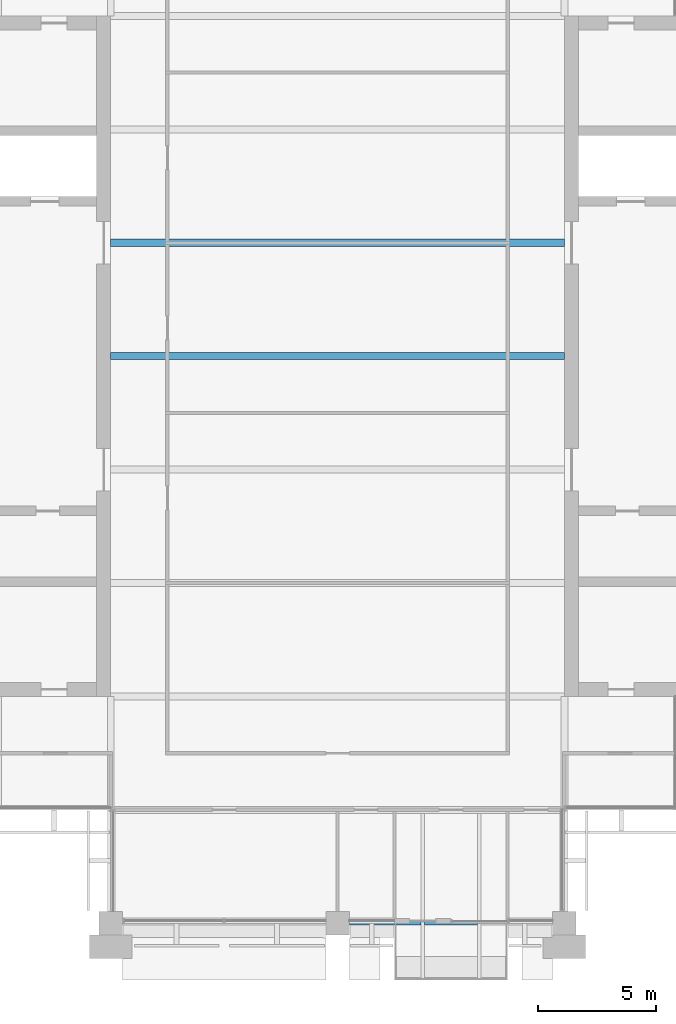
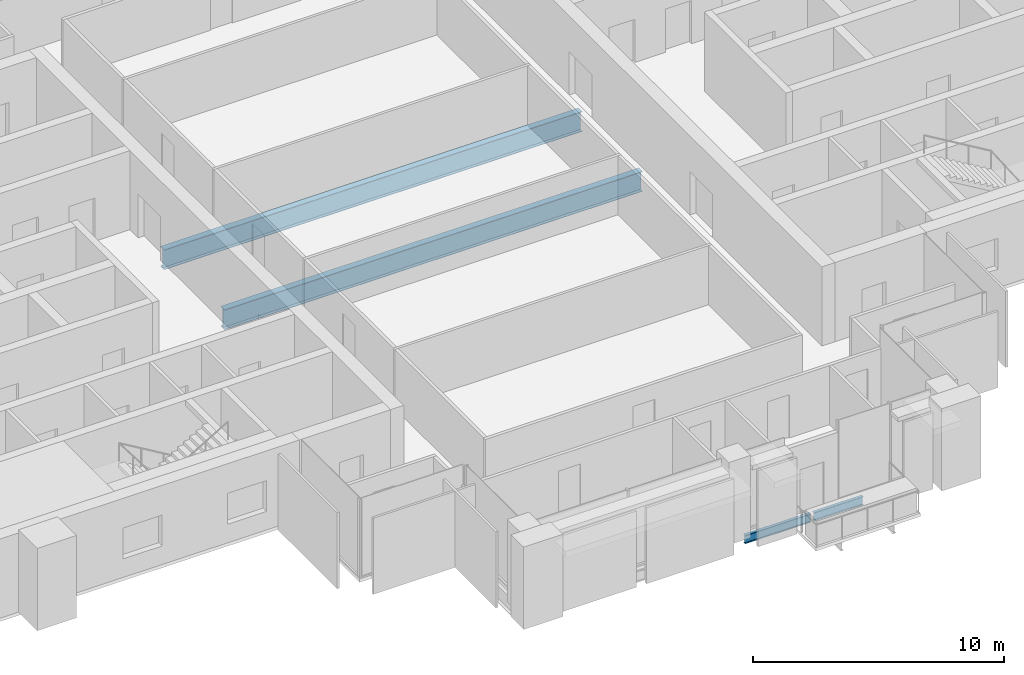
# One storey, part 3 of 13: 4 beams.
"""IFC4 building model written with IfcOpenShell, lengths in metres."""

from ifc_helpers import new_model, si_unit, direction, frame, origin, origin_2d, place, context, subcontext, project, spatial, i_section, extrude, material, material_profile, profile_set, type_object, element, save


model = new_model("IFC4")

# Units and contexts
model_context = context("Model", 3, precision=1e-05, world=origin(), true_north=direction((0.0, 1.0)))
body_context = subcontext(model_context, "Body", "Model", "MODEL_VIEW")
ifc_project = project(units=[si_unit("LENGTHUNIT", "METRE"), si_unit("AREAUNIT", "SQUARE_METRE"), si_unit("VOLUMEUNIT", "CUBIC_METRE"), si_unit("PLANEANGLEUNIT", "RADIAN"), si_unit("MASSUNIT", "GRAM", prefix="KILO")], contexts=[model_context])

# Site, building, storey
site_placement = place(None, origin())
site = spatial("IfcSite", under=ifc_project, at=site_placement, CompositionType="ELEMENT")
building_placement = place(site_placement, origin())
building = spatial("IfcBuilding", under=site, at=building_placement, Name="Baori Bourse Tower", CompositionType="ELEMENT")
storey_placement = place(building_placement, frame((0.0, 0.0, 326.300048828125)))
storey = spatial("IfcBuildingStorey", under=building, at=storey_placement, Name="L72", CompositionType="ELEMENT", Elevation=326.300048828125)

# Beams
ifc_material_1 = material(Name="Steel A992 Gr 50", Category="steel")
ifc_material_profile_1 = material_profile(ifc_material_1, i_section(OverallWidth=0.140380859375, OverallDepth=0.40380859375, WebThickness=0.007080078125, FlangeThickness=0.01123046875, at=origin_2d()), Name="W16x31")
ifc_profile_set_1 = profile_set([ifc_material_profile_1], Name="Steel A992 Gr 50")
beam_type_1 = type_object("IfcBeamType", Name="Edge beam W16x31", PredefinedType="BEAM", material=ifc_profile_set_1)
beam_1_placement = place(storey_placement, frame((29.300048828125, 0.0, -0.362060546875), z_axis=(1.0, 0.0, 0.0), x_axis=(0.0, 1.0, 0.0)))
element("IfcBeam", 1, at=beam_1_placement, inside=storey, type_object=beam_type_1, Name="Edge beam L72", PredefinedType="BEAM", context=body_context, shape_type="SweptSolid", body=[
    extrude(i_section(OverallWidth=0.140380859375, OverallDepth=0.40380859375, WebThickness=0.007080078125, FlangeThickness=0.01123046875, at=origin_2d()), origin(), (0.0, 0.0, 1.0), 3.02978515625),
])
beam_2_placement = place(storey_placement, frame((32.47021484375, 0.0, -0.362060546875), z_axis=(1.0, 0.0, 0.0), x_axis=(0.0, 1.0, 0.0)))
element("IfcBeam", 2, at=beam_2_placement, inside=storey, type_object=beam_type_1, Name="Edge beam L72", PredefinedType="BEAM", context=body_context, shape_type="SweptSolid", body=[
    extrude(i_section(OverallWidth=0.140380859375, OverallDepth=0.40380859375, WebThickness=0.007080078125, FlangeThickness=0.01123046875, at=origin_2d()), origin(), (0.0, 0.0, 1.0), 2.259521484375),
])
ifc_material_2 = material(Name="Steel A992 Gr 50", Category="steel")
ifc_material_profile_2 = material_profile(ifc_material_2, i_section(OverallWidth=0.2998046875, OverallDepth=0.97021484375, WebThickness=0.01611328125, FlangeThickness=0.02099609375, at=origin_2d()), Name="W40x149")
ifc_profile_set_2 = profile_set([ifc_material_profile_2], Name="Steel A992 Gr 50")
beam_type_2 = type_object("IfcBeamType", Name="Floor beam W40x149", PredefinedType="BEAM", material=ifc_profile_set_2)
for number, where, z_axis, x_axis, name in (
    (3, (19.199951171875, 24.0, -0.645263671875), (1.0, 0.0, 0.0), (0.0, 1.0, 0.0), "Floor beam L72"),
    (4, (19.199951171875, 28.800048828125, -0.645263671875), (1.0, 0.0, 0.0), (0.0, 1.0, 0.0), "Floor beam L72"),
):
    element("IfcBeam", number, at=place(storey_placement, frame(where, z_axis=z_axis, x_axis=x_axis)), inside=storey, type_object=beam_type_2, Name=name, PredefinedType="BEAM", context=body_context, shape_type="SweptSolid", body=[
        extrude(i_section(OverallWidth=0.2998046875, OverallDepth=0.97021484375, WebThickness=0.01611328125, FlangeThickness=0.02099609375, at=origin_2d()), origin(), (0.0, 0.0, 1.0), 19.199951171875),
    ])

save(model, "model.ifc")
